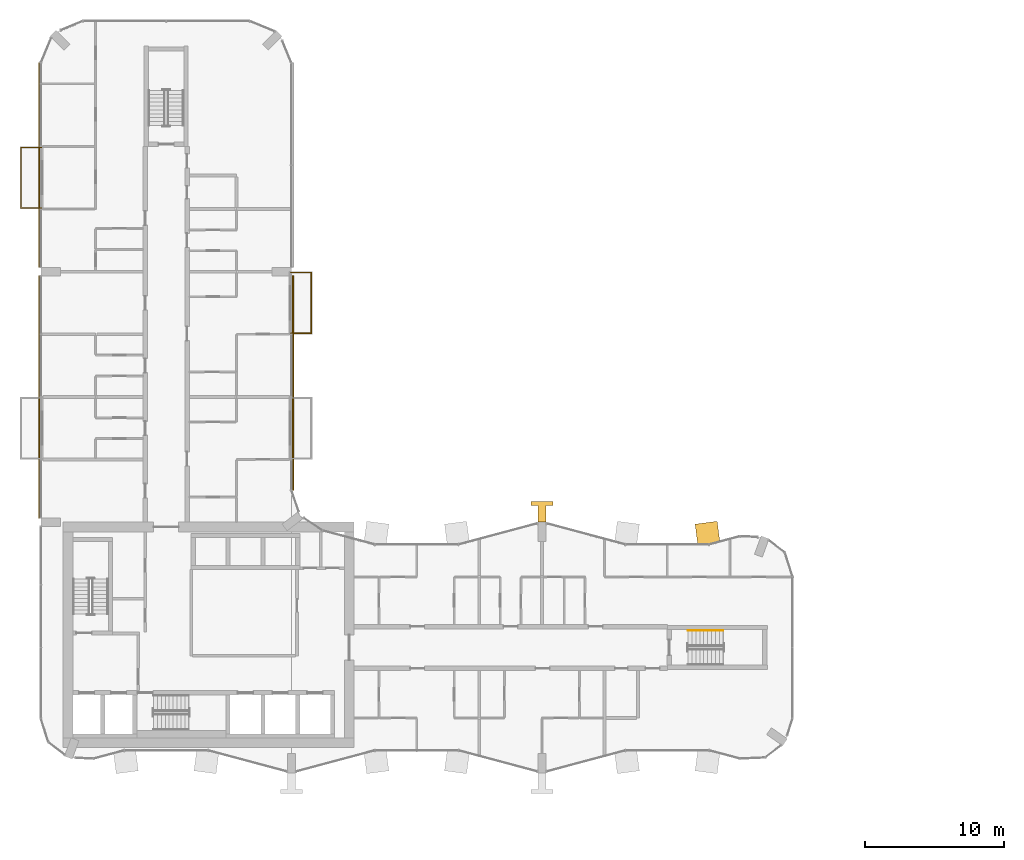
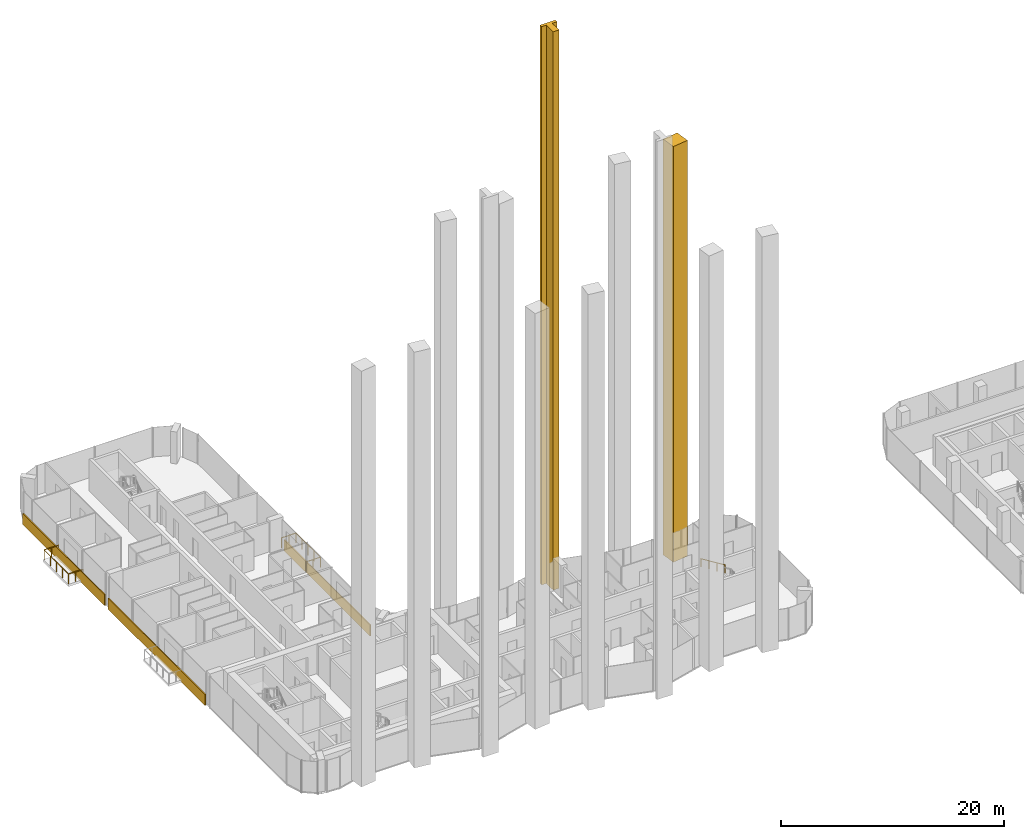
# One storey, part 25 of 27: 5 coverings, 3 railings.
"""IFC4 building model written with IfcOpenShell, lengths in metres."""

from ifc_helpers import new_model, si_unit, direction, frame, origin, origin_2d, place, context, subcontext, project, spatial, polyline, rectangle, circle, outline, extrude, material, layer, layer_set, type_object, element, save


model = new_model("IFC4")

# Units and contexts
model_context = context("Model", 3, precision=1e-05, world=origin(), true_north=direction((0.0, 1.0)))
body_context = subcontext(model_context, "Body", "Model", "MODEL_VIEW")
ifc_project = project(units=[si_unit("LENGTHUNIT", "METRE"), si_unit("AREAUNIT", "SQUARE_METRE"), si_unit("VOLUMEUNIT", "CUBIC_METRE"), si_unit("PLANEANGLEUNIT", "RADIAN"), si_unit("MASSUNIT", "GRAM", prefix="KILO")], contexts=[model_context])

# Site, building, storey
site_placement = place(None, origin())
site = spatial("IfcSite", under=ifc_project, at=site_placement, CompositionType="ELEMENT")
building_placement = place(site_placement, origin())
building = spatial("IfcBuilding", under=site, at=building_placement, Name="Plateau Cross Towers", CompositionType="ELEMENT")
storey_placement = place(building_placement, frame((0.0, 0.0, 78.300048828125)))
storey = spatial("IfcBuildingStorey", under=building, at=storey_placement, Name="L19", CompositionType="ELEMENT", Elevation=78.300048828125)

# Covering
ifc_material_1 = material(Name="Light precast concrete cladding C40/50", Category="concrete")
covering_type_1 = type_object("IfcCoveringType", Name="Flute pier cladding 1600x1500", PredefinedType="CLADDING", material=ifc_material_1)
covering_1_placement = place(storey_placement, origin())
element("IfcCovering", 1, at=covering_1_placement, inside=storey, type_object=covering_type_1, Name="Flute pier", PredefinedType="CLADDING", context=body_context, shape_type="SweptSolid", body=[
    extrude(outline(polyline([(48.7822265625, 16.580322265625), (47.19580078125, 16.37158203125), (47.000244140625, 17.85888671875), (48.58642578125, 18.067626953125), (48.7822265625, 16.580322265625)])), origin(), (0.0, 0.0, 1.0), 45.5),
])

# Railings
ifc_material_2 = material(Name="Stainless steel and toughened glass", Category="steel")
railing_type_1 = type_object("IfcRailingType", Name="Glass balustrade guard 1100", PredefinedType="GUARDRAIL", material=ifc_material_2)
railing_1_placement = place(storey_placement, frame((0.050048828125, 40.570068359375, 0.0)))
element("IfcRailing", 2, at=railing_1_placement, inside=storey, type_object=railing_type_1, Name="Guard guard1", PredefinedType="GUARDRAIL", context=body_context, shape_type="SweptSolid", body=[
    extrude(circle(Radius=0.02392578125, at=origin_2d()), frame((0.0, 0.0, 1.076171875), z_axis=(-1.0, 0.0, 0.0), x_axis=(0.0, -1.0, 0.0)), (0.0, 0.0, 1.0), 1.47998046875),
    extrude(circle(Radius=0.02392578125, at=origin_2d()), frame((-1.47998046875, 0.0, 1.076171875), z_axis=(0.0, 1.0, 0.0), x_axis=(-1.0, 0.0, 0.0)), (0.0, 0.0, 1.0), 4.35986328125),
    extrude(circle(Radius=0.02392578125, at=origin_2d()), frame((-1.47998046875, 4.35986328125, 1.076171875), z_axis=(1.0, 0.0, 0.0), x_axis=(0.0, 1.0, 0.0)), (0.0, 0.0, 1.0), 1.47998046875),
    extrude(circle(Radius=0.02099609375, at=origin_2d()), origin(), (0.0, 0.0, 1.0), 1.052001953125),
    extrude(circle(Radius=0.02099609375, at=origin_2d()), frame((-0.739990234375, 0.0, 0.0)), (0.0, 0.0, 1.0), 1.052001953125),
    extrude(circle(Radius=0.02099609375, at=origin_2d()), frame((-1.47998046875, 0.0, 0.0)), (0.0, 0.0, 1.0), 1.052001953125),
    extrude(circle(Radius=0.02099609375, at=origin_2d()), frame((-1.47998046875, 1.08984375, 0.0)), (0.0, 0.0, 1.0), 1.052001953125),
    extrude(circle(Radius=0.02099609375, at=origin_2d()), frame((-1.47998046875, 2.179931640625, 0.0)), (0.0, 0.0, 1.0), 1.052001953125),
    extrude(circle(Radius=0.02099609375, at=origin_2d()), frame((-1.47998046875, 3.27001953125, 0.0)), (0.0, 0.0, 1.0), 1.052001953125),
    extrude(circle(Radius=0.02099609375, at=origin_2d()), frame((-1.47998046875, 4.35986328125, 0.0)), (0.0, 0.0, 1.0), 1.052001953125),
    extrude(circle(Radius=0.02099609375, at=origin_2d()), frame((-0.739990234375, 4.35986328125, 0.0)), (0.0, 0.0, 1.0), 1.052001953125),
    extrude(circle(Radius=0.02099609375, at=origin_2d()), frame((0.0, 4.35986328125, 0.0)), (0.0, 0.0, 1.0), 1.052001953125),
])
railing_2_placement = place(storey_placement, frame((17.949951171875, 35.929931640625, 0.0)))
element("IfcRailing", 3, at=railing_2_placement, inside=storey, type_object=railing_type_1, Name="Guard guard1", PredefinedType="GUARDRAIL", context=body_context, shape_type="SweptSolid", body=[
    extrude(circle(Radius=0.02392578125, at=origin_2d()), frame((0.0, 0.0, 1.076171875), z_axis=(1.0, 0.0, 0.0), x_axis=(0.0, 1.0, 0.0)), (0.0, 0.0, 1.0), 1.47998046875),
    extrude(circle(Radius=0.02392578125, at=origin_2d()), frame((1.47998046875, 0.0, 1.076171875), z_axis=(0.0, -1.0, 0.0), x_axis=(1.0, 0.0, 0.0)), (0.0, 0.0, 1.0), 4.35986328125),
    extrude(circle(Radius=0.02392578125, at=origin_2d()), frame((1.47998046875, -4.35986328125, 1.076171875), z_axis=(-1.0, 0.0, 0.0), x_axis=(0.0, -1.0, 0.0)), (0.0, 0.0, 1.0), 1.47998046875),
    extrude(circle(Radius=0.02099609375, at=origin_2d()), origin(), (0.0, 0.0, 1.0), 1.052001953125),
    extrude(circle(Radius=0.02099609375, at=origin_2d()), frame((0.739990234375, 0.0, 0.0)), (0.0, 0.0, 1.0), 1.052001953125),
    extrude(circle(Radius=0.02099609375, at=origin_2d()), frame((1.47998046875, 0.0, 0.0)), (0.0, 0.0, 1.0), 1.052001953125),
    extrude(circle(Radius=0.02099609375, at=origin_2d()), frame((1.47998046875, -1.08984375, 0.0)), (0.0, 0.0, 1.0), 1.052001953125),
    extrude(circle(Radius=0.02099609375, at=origin_2d()), frame((1.47998046875, -2.179931640625, 0.0)), (0.0, 0.0, 1.0), 1.052001953125),
    extrude(circle(Radius=0.02099609375, at=origin_2d()), frame((1.47998046875, -3.27001953125, 0.0)), (0.0, 0.0, 1.0), 1.052001953125),
    extrude(circle(Radius=0.02099609375, at=origin_2d()), frame((1.47998046875, -4.35986328125, 0.0)), (0.0, 0.0, 1.0), 1.052001953125),
    extrude(circle(Radius=0.02099609375, at=origin_2d()), frame((0.739990234375, -4.35986328125, 0.0)), (0.0, 0.0, 1.0), 1.052001953125),
    extrude(circle(Radius=0.02099609375, at=origin_2d()), frame((0.0, -4.35986328125, 0.0)), (0.0, 0.0, 1.0), 1.052001953125),
])

# Covering
covering_type_2 = type_object("IfcCoveringType", Name="Pier fin cladding 1600x1500", PredefinedType="CLADDING", material=ifc_material_1)
covering_2_placement = place(storey_placement, origin())
element("IfcCovering", 4, at=covering_2_placement, inside=storey, type_object=covering_type_2, Name="Pier fin PR5", PredefinedType="CLADDING", context=body_context, shape_type="SweptSolid", body=[
    extrude(outline(polyline([(35.699951171875, 18.0), (36.300048828125, 18.0), (36.300048828125, 19.199951171875), (36.800048828125, 19.199951171875), (36.800048828125, 19.5), (35.199951171875, 19.5), (35.199951171875, 19.199951171875), (35.699951171875, 19.199951171875), (35.699951171875, 18.0)])), origin(), (0.0, 0.0, 1.0), 61.099853515625),
])

# Railing
ifc_material_3 = material(Name="Black anodised aluminium", Category="aluminium")
railing_type_2 = type_object("IfcRailingType", Name="RL-HANDRAIL-900", PredefinedType="HANDRAIL", material=ifc_material_3)
railing_3_placement = place(storey_placement, frame((49.02001953125, 10.22509765625, 1.925048828125)))
element("IfcRailing", 5, at=railing_3_placement, inside=storey, type_object=railing_type_2, Name="L19 ES-E stair handrail 2", PredefinedType="HANDRAIL", context=body_context, shape_type="SweptSolid", body=[
    extrude(circle(Radius=0.02392578125, at=origin_2d()), frame((0.0, 0.0, 0.8759765625), z_axis=(-0.848007534815, 0.0, 0.529984170421), x_axis=(0.0, -1.0, 0.0)), (0.0, 0.0, 1.0), 2.9716796875),
    extrude(circle(Radius=0.02099609375, at=origin_2d()), origin(), (0.0, 0.0, 1.0), 0.851806640625),
    extrude(circle(Radius=0.02099609375, at=origin_2d()), frame((-0.840087890625, 0.0, 0.52490234375)), (0.0, 0.0, 1.0), 0.851806640625),
    extrude(circle(Radius=0.02099609375, at=origin_2d()), frame((-1.679931640625, 0.0, 1.050048828125)), (0.0, 0.0, 1.0), 0.851806640625),
    extrude(circle(Radius=0.02099609375, at=origin_2d()), frame((-2.52001953125, 0.0, 1.574951171875)), (0.0, 0.0, 1.0), 0.851806640625),
])

# Coverings
ifc_material_4 = material(Name="Precast concrete cladding C40/50", Category="concrete")
ifc_layer = layer(ifc_material_4, 0.10009765625)
ifc_layer_set = layer_set([ifc_layer], Name="Precast concrete cladding C40/50")
covering_type_3 = type_object("IfcCoveringType", Name="Spandrel band cladding 100x1200", PredefinedType="CLADDING", material=ifc_layer_set)
covering_3_placement = place(storey_placement, frame((18.1201171875, 28.001220703125, -0.25), z_axis=(0.0, 0.0, 1.0), x_axis=(0.0, 1.0, 0.0)))
element("IfcCovering", 6, at=covering_3_placement, inside=storey, type_object=covering_type_3, Name="Spandrel band", PredefinedType="CLADDING", context=body_context, shape_type="SweptSolid", body=[
    extrude(rectangle(XDim=15.397705078125, YDim=0.10009765625, at=origin_2d()), origin(), (0.0, 0.0, 1.0), 1.199951171875),
])
covering_4_placement = place(storey_placement, frame((-0.1201171875, 43.64990234375, -0.25), z_axis=(0.0, 0.0, 1.0), x_axis=(0.0, -1.0, 0.0)))
element("IfcCovering", 7, at=covering_4_placement, inside=storey, type_object=covering_type_3, Name="Spandrel band", PredefinedType="CLADDING", context=body_context, shape_type="SweptSolid", body=[
    extrude(rectangle(XDim=14.699951171875, YDim=0.10009765625, at=origin_2d()), origin(), (0.0, 0.0, 1.0), 1.199951171875),
])
covering_5_placement = place(storey_placement, frame((-0.1201171875, 27.0, -0.25), z_axis=(0.0, 0.0, 1.0), x_axis=(0.0, -1.0, 0.0)))
element("IfcCovering", 8, at=covering_5_placement, inside=storey, type_object=covering_type_3, Name="Spandrel band", PredefinedType="CLADDING", context=body_context, shape_type="SweptSolid", body=[
    extrude(rectangle(XDim=17.39990234375, YDim=0.10009765625, at=origin_2d()), origin(), (0.0, 0.0, 1.0), 1.199951171875),
])

save(model, "model.ifc")
